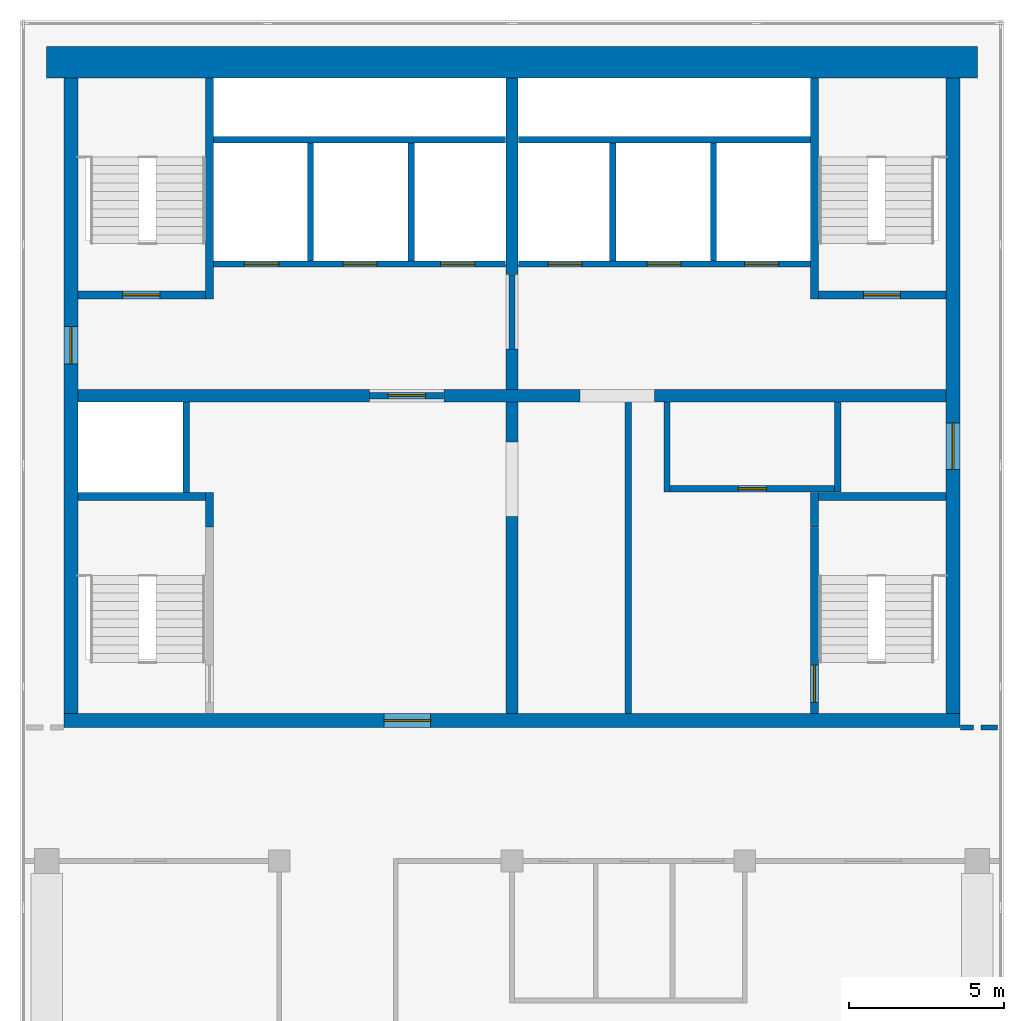
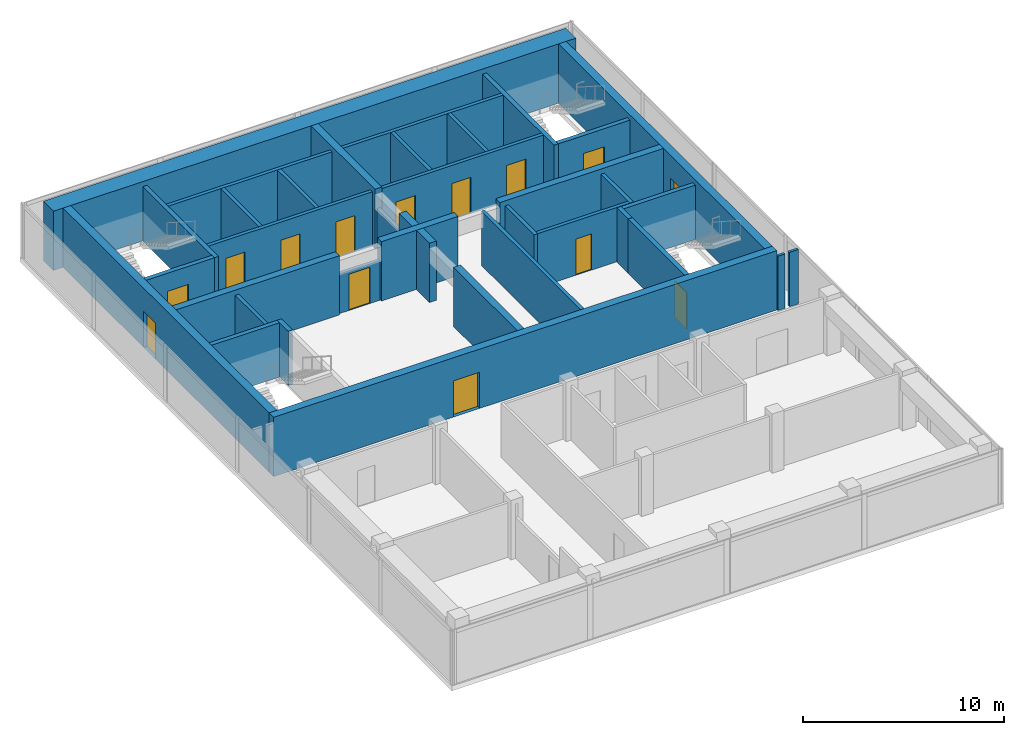
# One storey, part 3 of 5: 37 walls, 14 doors, 14 openings.
"""IFC4 building model written with IfcOpenShell, lengths in metres."""

from ifc_helpers import new_model, si_unit, direction, frame, frame_2d, origin, place, context, subcontext, project, spatial, rectangle, extrude, material, layer, layer_set, type_object, element, fill, save


model = new_model("IFC4")

# Units and contexts
model_context = context("Model", 3, precision=1e-05, world=origin(), true_north=direction((0.0, 1.0)))
body_context = subcontext(model_context, "Body", "Model", "MODEL_VIEW")
ifc_project = project(units=[si_unit("LENGTHUNIT", "METRE"), si_unit("AREAUNIT", "SQUARE_METRE"), si_unit("VOLUMEUNIT", "CUBIC_METRE"), si_unit("PLANEANGLEUNIT", "RADIAN"), si_unit("MASSUNIT", "GRAM", prefix="KILO")], contexts=[model_context])

# Site, building, storey
site_placement = place(None, origin())
site = spatial("IfcSite", under=ifc_project, at=site_placement, CompositionType="ELEMENT")
building_placement = place(site_placement, origin())
building = spatial("IfcBuilding", under=site, at=building_placement, Name="Pilkhan Gate Tower", CompositionType="ELEMENT")
storey_placement = place(building_placement, frame((0.0, 0.0, 280.10009765625)))
storey = spatial("IfcBuildingStorey", under=building, at=storey_placement, Name="L73", CompositionType="ELEMENT", Elevation=280.10009765625)

# Wall
ifc_material_1 = material(Name="Concrete C50/60", Category="concrete")
ifc_layer_1 = layer(ifc_material_1, 1.0)
ifc_layer_set_1 = layer_set([ifc_layer_1], Name="Core wall CW1000 C50/60")
wall_type_1 = type_object("IfcWallType", Name="Core wall CW1000 C50/60", PredefinedType="SHEAR", material=ifc_layer_set_1)
wall_1_placement = place(storey_placement, frame((90.0, 93.25, 0.0), z_axis=(0.0, 0.0, 1.0), x_axis=(-1.0, 0.0, 0.0)))
element("IfcWall", 1, at=wall_1_placement, inside=storey, type_object=wall_type_1, Name="Core wall N L73", PredefinedType="SHEAR", context=body_context, shape_type="SweptSolid", body=[
    extrude(rectangle(XDim=30.0, YDim=1.0, at=frame_2d((15.0, 0.0))), origin(), (0.0, 0.0, 1.0), 3.599853515625),
])

# Wall, opening, door
ifc_layer_2 = layer(ifc_material_1, 0.449951171875)
ifc_layer_set_2 = layer_set([ifc_layer_2], Name="Core wall CW450 C50/60")
wall_type_2 = type_object("IfcWallType", Name="Core wall CW450 C50/60", PredefinedType="SHEAR", material=ifc_layer_set_2)
wall_2_placement = place(storey_placement, frame((60.550048828125, 72.02490234375, 0.0), z_axis=(0.0, 0.0, 1.0), x_axis=(1.0, 0.0, 0.0)))
wall_2 = element("IfcWall", 2, at=wall_2_placement, inside=storey, type_object=wall_type_2, Name="Core wall S L73", PredefinedType="SHEAR", context=body_context, shape_type="SweptSolid", body=[
    extrude(rectangle(XDim=28.89990234375, YDim=0.449951171875, at=frame_2d((14.449951171875, 0.0))), origin(), (0.0, 0.0, 1.0), 3.599853515625),
])
opening_1_placement = place(wall_2_placement, frame((10.324951171875, 0.0, 0.0)))
opening_1 = element("IfcOpeningElement", 3, at=opening_1_placement, cuts=wall_2, Name="Opening L73-06", PredefinedType="OPENING", context=body_context, shape_type="SweptSolid", body=[
    extrude(rectangle(XDim=1.5, YDim=2.199951171875, at=frame_2d((0.75, 1.10009765625))), frame((0.0, 0.23486328125, 0.0), z_axis=(0.0, -1.0, 0.0), x_axis=(1.0, 0.0, 0.0)), (0.0, 0.0, 1.0), 0.469970703125),
])
ifc_material_2 = material(Name="Steel framed glazed door, 60 minute fire resisting", Category="steel")
door_type_1 = type_object("IfcDoorType", Name="Lobby door D09 1500x2200", OperationType="DOUBLE_DOOR_SINGLE_SWING", PredefinedType="DOOR", material=ifc_material_2)
door_1_placement = place(opening_1_placement, origin())
door_1 = element("IfcDoor", 4, at=door_1_placement, inside=storey, type_object=door_type_1, Name="Core door", OperationType="DOUBLE_DOOR_SINGLE_SWING", OverallHeight=2.199951171875, OverallWidth=1.5, PredefinedType="DOOR", context=body_context, shape_type="SweptSolid", body=[
    extrude(rectangle(XDim=1.5, YDim=2.199951171875, at=frame_2d((0.75, 1.10009765625))), frame((0.0, 0.02490234375, 0.0), z_axis=(0.0, -1.0, 0.0), x_axis=(1.0, 0.0, 0.0)), (0.0, 0.0, 1.0), 0.050048828125),
])
fill(opening_1, door_1)

wall_3_placement = place(storey_placement, frame((89.22509765625, 72.25, 0.0), z_axis=(0.0, 0.0, 1.0), x_axis=(0.0, 1.0, 0.0)))
wall_3 = element("IfcWall", 5, at=wall_3_placement, inside=storey, type_object=wall_type_2, Name="Core wall E L73", PredefinedType="SHEAR", context=body_context, shape_type="SweptSolid", body=[
    extrude(rectangle(XDim=20.5, YDim=0.449951171875, at=frame_2d((10.25, 0.0))), origin(), (0.0, 0.0, 1.0), 3.599853515625),
])
opening_2_placement = place(wall_3_placement, frame((7.875, 0.0, 0.0)))
opening_2 = element("IfcOpeningElement", 6, at=opening_2_placement, cuts=wall_3, Name="Opening L73-07", PredefinedType="OPENING", context=body_context, shape_type="SweptSolid", body=[
    extrude(rectangle(XDim=1.5, YDim=2.199951171875, at=frame_2d((0.75, 1.10009765625))), frame((0.0, 0.23486328125, 0.0), z_axis=(0.0, -1.0, 0.0), x_axis=(1.0, 0.0, 0.0)), (0.0, 0.0, 1.0), 0.469970703125),
])
door_2_placement = place(opening_2_placement, origin())
door_2 = element("IfcDoor", 7, at=door_2_placement, inside=storey, type_object=door_type_1, Name="Core door", OperationType="DOUBLE_DOOR_SINGLE_SWING", OverallHeight=2.199951171875, OverallWidth=1.5, PredefinedType="DOOR", context=body_context, shape_type="SweptSolid", body=[
    extrude(rectangle(XDim=1.5, YDim=2.199951171875, at=frame_2d((0.75, 1.10009765625))), frame((0.0, 0.02490234375, 0.0), z_axis=(0.0, -1.0, 0.0), x_axis=(1.0, 0.0, 0.0)), (0.0, 0.0, 1.0), 0.050048828125),
])
fill(opening_2, door_2)

wall_4_placement = place(storey_placement, frame((60.77490234375, 92.75, 0.0), z_axis=(0.0, 0.0, 1.0), x_axis=(0.0, -1.0, 0.0)))
wall_4 = element("IfcWall", 8, at=wall_4_placement, inside=storey, type_object=wall_type_2, Name="Core wall W L73", PredefinedType="SHEAR", context=body_context, shape_type="SweptSolid", body=[
    extrude(rectangle(XDim=20.5, YDim=0.449951171875, at=frame_2d((10.25, 0.0))), origin(), (0.0, 0.0, 1.0), 3.599853515625),
])
opening_3_placement = place(wall_4_placement, frame((8.02490234375, 0.0, 0.0)))
opening_3 = element("IfcOpeningElement", 9, at=opening_3_placement, cuts=wall_4, Name="Opening L73-09", PredefinedType="OPENING", context=body_context, shape_type="SweptSolid", body=[
    extrude(rectangle(XDim=1.199951171875, YDim=2.199951171875, at=frame_2d((0.60009765625, 1.10009765625))), frame((0.0, 0.23486328125, 0.0), z_axis=(0.0, -1.0, 0.0), x_axis=(1.0, 0.0, 0.0)), (0.0, 0.0, 1.0), 0.469970703125),
])
ifc_material_3 = material(Name="Steel door, 120 minute fire resisting, self-closing", Category="steel")
door_type_2 = type_object("IfcDoorType", Name="Firefighting lobby door D10 1200x2200", OperationType="SINGLE_SWING_LEFT", PredefinedType="DOOR", material=ifc_material_3)
door_3_placement = place(opening_3_placement, origin())
door_3 = element("IfcDoor", 10, at=door_3_placement, inside=storey, type_object=door_type_2, Name="Core door", OperationType="SINGLE_SWING_RIGHT", OverallHeight=2.199951171875, OverallWidth=1.199951171875, PredefinedType="DOOR", context=body_context, shape_type="SweptSolid", body=[
    extrude(rectangle(XDim=1.199951171875, YDim=2.199951171875, at=frame_2d((0.60009765625, 1.10009765625))), frame((0.0, 0.02490234375, 0.0), z_axis=(0.0, -1.0, 0.0), x_axis=(1.0, 0.0, 0.0)), (0.0, 0.0, 1.0), 0.050048828125),
])
fill(opening_3, door_3)

ifc_material_4 = material(Name="Dense blockwork", Category="masonry")
ifc_layer_3 = layer(ifc_material_4, 0.199951171875)
ifc_layer_set_3 = layer_set([ifc_layer_3], Name="Lobby wall LW200")
wall_type_3 = type_object("IfcWallType", Name="Lobby wall LW200", PredefinedType="PARTITIONING", material=ifc_layer_set_3)
wall_5_placement = place(storey_placement, frame((80.10009765625, 79.5, 0.0), z_axis=(0.0, 0.0, 1.0), x_axis=(1.0, 0.0, 0.0)))
wall_5 = element("IfcWall", 11, at=wall_5_placement, inside=storey, type_object=wall_type_3, Name="Partition L73", PredefinedType="PARTITIONING", context=body_context, shape_type="SweptSolid", body=[
    extrude(rectangle(XDim=5.2998046875, YDim=0.199951171875, at=frame_2d((2.64990234375, 0.0))), origin(), (0.0, 0.0, 1.0), 3.2998046875),
])
opening_4_placement = place(wall_5_placement, frame((2.199951171875, 0.0, 0.0)))
opening_4 = element("IfcOpeningElement", 12, at=opening_4_placement, cuts=wall_5, Name="Opening L73-08", PredefinedType="OPENING", context=body_context, shape_type="SweptSolid", body=[
    extrude(rectangle(XDim=0.89990234375, YDim=2.199951171875, at=frame_2d((0.449951171875, 1.10009765625))), frame((0.0, 0.10986328125, 0.0), z_axis=(0.0, -1.0, 0.0), x_axis=(1.0, 0.0, 0.0)), (0.0, 0.0, 1.0), 0.219970703125),
])
ifc_material_5 = material(Name="Timber flush door, 60 minute fire resisting, self-closing", Category="wood")
door_type_3 = type_object("IfcDoorType", Name="Store door D05 900x2200", OperationType="SINGLE_SWING_LEFT", PredefinedType="DOOR", material=ifc_material_5)
door_4_placement = place(opening_4_placement, origin())
door_4 = element("IfcDoor", 13, at=door_4_placement, inside=storey, type_object=door_type_3, Name="Store door", OperationType="SINGLE_SWING_LEFT", OverallHeight=2.199951171875, OverallWidth=0.89990234375, PredefinedType="DOOR", context=body_context, shape_type="SweptSolid", body=[
    extrude(rectangle(XDim=0.89990234375, YDim=2.199951171875, at=frame_2d((0.449951171875, 1.10009765625))), frame((0.0, 0.02490234375, 0.0), z_axis=(0.0, -1.0, 0.0), x_axis=(1.0, 0.0, 0.0)), (0.0, 0.0, 1.0), 0.050048828125),
])
fill(opening_4, door_4)

wall_6_placement = place(storey_placement, frame((70.409912109375, 82.5, 0.0), z_axis=(0.0, 0.0, 1.0), x_axis=(1.0, 0.0, 0.0)))
wall_6 = element("IfcWall", 14, at=wall_6_placement, inside=storey, type_object=wall_type_3, Name="Partition L73", PredefinedType="PARTITIONING", context=body_context, shape_type="SweptSolid", body=[
    extrude(rectangle(XDim=2.380126953125, YDim=0.199951171875, at=frame_2d((1.18994140625, 0.0))), origin(), (0.0, 0.0, 1.0), 2.39990234375),
])
opening_5_placement = place(wall_6_placement, frame((0.60009765625, 0.0, 0.0)))
opening_5 = element("IfcOpeningElement", 15, at=opening_5_placement, cuts=wall_6, Name="Opening L73-01", PredefinedType="OPENING", context=body_context, shape_type="SweptSolid", body=[
    extrude(rectangle(XDim=1.199951171875, YDim=2.199951171875, at=frame_2d((0.60009765625, 1.10009765625))), frame((0.0, 0.10986328125, 0.0), z_axis=(0.0, -1.0, 0.0), x_axis=(1.0, 0.0, 0.0)), (0.0, 0.0, 1.0), 0.219970703125),
])
door_5_placement = place(opening_5_placement, origin())
door_5 = element("IfcDoor", 16, at=door_5_placement, inside=storey, type_object=door_type_2, Name="Firefighting lobby door", OperationType="SINGLE_SWING_LEFT", OverallHeight=2.199951171875, OverallWidth=1.199951171875, PredefinedType="DOOR", context=body_context, shape_type="SweptSolid", body=[
    extrude(rectangle(XDim=1.199951171875, YDim=2.199951171875, at=frame_2d((0.60009765625, 1.10009765625))), frame((0.0, 0.02490234375, 0.0), z_axis=(0.0, -1.0, 0.0), x_axis=(1.0, 0.0, 0.0)), (0.0, 0.0, 1.0), 0.050048828125),
])
fill(opening_5, door_5)

# Walls
wall_7_placement = place(storey_placement, frame((75.0, 84.010009765625, 0.0), z_axis=(0.0, 0.0, 1.0), x_axis=(0.0, 1.0, 0.0)))
element("IfcWall", 17, at=wall_7_placement, inside=storey, type_object=wall_type_3, Name="Partition L73", PredefinedType="PARTITIONING", context=body_context, shape_type="SweptSolid", body=[
    extrude(rectangle(XDim=2.3798828125, YDim=0.199951171875, at=frame_2d((1.18994140625, 0.0))), origin(), (0.0, 0.0, 1.0), 2.39990234375),
])
wall_8_placement = place(storey_placement, frame((78.75, 72.260009765625, 0.0), z_axis=(0.0, 0.0, 1.0), x_axis=(0.0, 1.0, 0.0)))
element("IfcWall", 18, at=wall_8_placement, inside=storey, type_object=wall_type_3, Name="Partition L73", PredefinedType="PARTITIONING", context=body_context, shape_type="SweptSolid", body=[
    extrude(rectangle(XDim=10.239990234375, YDim=0.199951171875, at=frame_2d((5.1201171875, 0.0))), origin(), (0.0, 0.0, 1.0), 3.2998046875),
])
for number, where, z_axis, x_axis, name in (
    (19, (80.0, 79.39990234375, 0.0), (0.0, 0.0, 1.0), (0.0, 1.0, 0.0), "Partition L73"),
    (20, (85.5, 79.39990234375, 0.0), (0.0, 0.0, 1.0), (0.0, 1.0, 0.0), "Partition L73"),
):
    element("IfcWall", number, at=place(storey_placement, frame(where, z_axis=z_axis, x_axis=x_axis)), inside=storey, type_object=wall_type_3, Name=name, PredefinedType="PARTITIONING", context=body_context, shape_type="SweptSolid", body=[
        extrude(rectangle(XDim=2.89013671875, YDim=0.199951171875, at=frame_2d((1.445068359375, 0.0))), origin(), (0.0, 0.0, 1.0), 3.2998046875),
    ])
ifc_material_6 = material(Name="Blockwork partition, plastered both sides", Category="masonry")
ifc_layer_4 = layer(ifc_material_6, 0.14990234375)
ifc_layer_set_4 = layer_set([ifc_layer_4], Name="Partition PW150")
wall_type_4 = type_object("IfcWallType", Name="Partition PW150", PredefinedType="PARTITIONING", material=ifc_layer_set_4)
wall_9_placement = place(storey_placement, frame((89.4599609375, 71.800048828125, 0.0), z_axis=(0.0, 0.0, 1.0), x_axis=(1.0, 0.0, 0.0)))
element("IfcWall", 21, at=wall_9_placement, inside=storey, type_object=wall_type_4, Name="Partition L73", PredefinedType="PARTITIONING", context=body_context, shape_type="SweptSolid", body=[
    extrude(rectangle(XDim=0.419921875, YDim=0.14990234375, at=frame_2d((0.2099609375, 0.0))), origin(), (0.0, 0.0, 1.0), 3.2998046875),
])
wall_10_placement = place(storey_placement, frame((90.1201171875, 71.800048828125, 0.0), z_axis=(0.0, 0.0, 1.0), x_axis=(1.0, 0.0, 0.0)))
element("IfcWall", 22, at=wall_10_placement, inside=storey, type_object=wall_type_4, Name="Partition L73", PredefinedType="PARTITIONING", context=body_context, shape_type="SweptSolid", body=[
    extrude(rectangle(XDim=0.52490234375, YDim=0.14990234375, at=frame_2d((0.262451171875, 0.0))), origin(), (0.0, 0.0, 1.0), 3.2998046875),
])

# Wall, openings, doors
ifc_material_7 = material(Name="Reinforced blockwork shaft wall, 120 minute fire resisting", Category="masonry")
ifc_layer_5 = layer(ifc_material_7, 0.199951171875)
ifc_layer_set_5 = layer_set([ifc_layer_5], Name="Shaft wall SW200")
wall_type_5 = type_object("IfcWallType", Name="Shaft wall SW200", PredefinedType="PARTITIONING", material=ifc_layer_set_5)
wall_11_placement = place(storey_placement, frame((65.375, 86.75, 0.0), z_axis=(0.0, 0.0, 1.0), x_axis=(1.0, 0.0, 0.0)))
wall_11 = element("IfcWall", 23, at=wall_11_placement, inside=storey, type_object=wall_type_5, Name="Partition L73", PredefinedType="PARTITIONING", context=body_context, shape_type="SweptSolid", body=[
    extrude(rectangle(XDim=9.4150390625, YDim=0.199951171875, at=frame_2d((4.70751953125, 0.0))), origin(), (0.0, 0.0, 1.0), 3.2998046875),
])
opening_6_placement = place(wall_11_placement, frame((1.0, 0.0, 0.0)))
opening_6 = element("IfcOpeningElement", 24, at=opening_6_placement, cuts=wall_11, Name="Opening LD", PredefinedType="OPENING", context=body_context, shape_type="SweptSolid", body=[
    extrude(rectangle(XDim=1.10009765625, YDim=2.199951171875, at=frame_2d((0.550048828125, 1.10009765625))), frame((0.0, 0.10986328125, 0.0), z_axis=(0.0, -1.0, 0.0), x_axis=(1.0, 0.0, 0.0)), (0.0, 0.0, 1.0), 0.219970703125),
])
opening_7_placement = place(wall_11_placement, frame((4.175048828125, 0.0, 0.0)))
opening_7 = element("IfcOpeningElement", 25, at=opening_7_placement, cuts=wall_11, Name="Opening LD", PredefinedType="OPENING", context=body_context, shape_type="SweptSolid", body=[
    extrude(rectangle(XDim=1.10009765625, YDim=2.199951171875, at=frame_2d((0.550048828125, 1.10009765625))), frame((0.0, 0.10986328125, 0.0), z_axis=(0.0, -1.0, 0.0), x_axis=(1.0, 0.0, 0.0)), (0.0, 0.0, 1.0), 0.219970703125),
])
opening_8_placement = place(wall_11_placement, frame((7.324951171875, 0.0, 0.0)))
opening_8 = element("IfcOpeningElement", 26, at=opening_8_placement, cuts=wall_11, Name="Opening LD", PredefinedType="OPENING", context=body_context, shape_type="SweptSolid", body=[
    extrude(rectangle(XDim=1.10009765625, YDim=2.199951171875, at=frame_2d((0.550048828125, 1.10009765625))), frame((0.0, 0.10986328125, 0.0), z_axis=(0.0, -1.0, 0.0), x_axis=(1.0, 0.0, 0.0)), (0.0, 0.0, 1.0), 0.219970703125),
])
ifc_material_8 = material(Name="Stainless steel centre-opening landing door, 120 minute fire resisting", Category="steel")
door_type_4 = type_object("IfcDoorType", Name="Lift landing door LD 1100x2200", OperationType="DOUBLE_DOOR_SLIDING", PredefinedType="DOOR", material=ifc_material_8)
door_6_placement = place(opening_6_placement, origin())
door_6 = element("IfcDoor", 27, at=door_6_placement, inside=storey, type_object=door_type_4, Name="Landing door FF1", OperationType="DOUBLE_DOOR_SLIDING", OverallHeight=2.199951171875, OverallWidth=1.10009765625, PredefinedType="DOOR", context=body_context, shape_type="SweptSolid", body=[
    extrude(rectangle(XDim=1.10009765625, YDim=2.199951171875, at=frame_2d((0.550048828125, 1.10009765625))), frame((0.0, 0.02490234375, 0.0), z_axis=(0.0, -1.0, 0.0), x_axis=(1.0, 0.0, 0.0)), (0.0, 0.0, 1.0), 0.050048828125),
])
fill(opening_6, door_6)
door_7_placement = place(opening_7_placement, origin())
door_7 = element("IfcDoor", 28, at=door_7_placement, inside=storey, type_object=door_type_4, Name="Landing door FF2", OperationType="DOUBLE_DOOR_SLIDING", OverallHeight=2.199951171875, OverallWidth=1.10009765625, PredefinedType="DOOR", context=body_context, shape_type="SweptSolid", body=[
    extrude(rectangle(XDim=1.10009765625, YDim=2.199951171875, at=frame_2d((0.550048828125, 1.10009765625))), frame((0.0, 0.02490234375, 0.0), z_axis=(0.0, -1.0, 0.0), x_axis=(1.0, 0.0, 0.0)), (0.0, 0.0, 1.0), 0.050048828125),
])
fill(opening_7, door_7)
door_8_placement = place(opening_8_placement, origin())
door_8 = element("IfcDoor", 29, at=door_8_placement, inside=storey, type_object=door_type_4, Name="Landing door SV1", OperationType="DOUBLE_DOOR_SLIDING", OverallHeight=2.199951171875, OverallWidth=1.10009765625, PredefinedType="DOOR", context=body_context, shape_type="SweptSolid", body=[
    extrude(rectangle(XDim=1.10009765625, YDim=2.199951171875, at=frame_2d((0.550048828125, 1.10009765625))), frame((0.0, 0.02490234375, 0.0), z_axis=(0.0, -1.0, 0.0), x_axis=(1.0, 0.0, 0.0)), (0.0, 0.0, 1.0), 0.050048828125),
])
fill(opening_8, door_8)

wall_12_placement = place(storey_placement, frame((75.2099609375, 86.75, 0.0), z_axis=(0.0, 0.0, 1.0), x_axis=(1.0, 0.0, 0.0)))
wall_12 = element("IfcWall", 30, at=wall_12_placement, inside=storey, type_object=wall_type_5, Name="Partition L73", PredefinedType="PARTITIONING", context=body_context, shape_type="SweptSolid", body=[
    extrude(rectangle(XDim=9.4150390625, YDim=0.199951171875, at=frame_2d((4.70751953125, 0.0))), origin(), (0.0, 0.0, 1.0), 3.2998046875),
])
opening_9_placement = place(wall_12_placement, frame((0.949951171875, 0.0, 0.0)))
opening_9 = element("IfcOpeningElement", 31, at=opening_9_placement, cuts=wall_12, Name="Opening LD", PredefinedType="OPENING", context=body_context, shape_type="SweptSolid", body=[
    extrude(rectangle(XDim=1.10009765625, YDim=2.199951171875, at=frame_2d((0.550048828125, 1.10009765625))), frame((0.0, 0.10986328125, 0.0), z_axis=(0.0, -1.0, 0.0), x_axis=(1.0, 0.0, 0.0)), (0.0, 0.0, 1.0), 0.219970703125),
])
opening_10_placement = place(wall_12_placement, frame((4.139892578125, 0.0, 0.0)))
opening_10 = element("IfcOpeningElement", 32, at=opening_10_placement, cuts=wall_12, Name="Opening LD", PredefinedType="OPENING", context=body_context, shape_type="SweptSolid", body=[
    extrude(rectangle(XDim=1.10009765625, YDim=2.199951171875, at=frame_2d((0.550048828125, 1.10009765625))), frame((0.0, 0.10986328125, 0.0), z_axis=(0.0, -1.0, 0.0), x_axis=(1.0, 0.0, 0.0)), (0.0, 0.0, 1.0), 0.219970703125),
])
opening_11_placement = place(wall_12_placement, frame((7.2900390625, 0.0, 0.0)))
opening_11 = element("IfcOpeningElement", 33, at=opening_11_placement, cuts=wall_12, Name="Opening LD", PredefinedType="OPENING", context=body_context, shape_type="SweptSolid", body=[
    extrude(rectangle(XDim=1.10009765625, YDim=2.199951171875, at=frame_2d((0.550048828125, 1.10009765625))), frame((0.0, 0.10986328125, 0.0), z_axis=(0.0, -1.0, 0.0), x_axis=(1.0, 0.0, 0.0)), (0.0, 0.0, 1.0), 0.219970703125),
])
door_9_placement = place(opening_9_placement, origin())
door_9 = element("IfcDoor", 34, at=door_9_placement, inside=storey, type_object=door_type_4, Name="Landing door HR1", OperationType="DOUBLE_DOOR_SLIDING", OverallHeight=2.199951171875, OverallWidth=1.10009765625, PredefinedType="DOOR", context=body_context, shape_type="SweptSolid", body=[
    extrude(rectangle(XDim=1.10009765625, YDim=2.199951171875, at=frame_2d((0.550048828125, 1.10009765625))), frame((0.0, 0.02490234375, 0.0), z_axis=(0.0, -1.0, 0.0), x_axis=(1.0, 0.0, 0.0)), (0.0, 0.0, 1.0), 0.050048828125),
])
fill(opening_9, door_9)
door_10_placement = place(opening_10_placement, origin())
door_10 = element("IfcDoor", 35, at=door_10_placement, inside=storey, type_object=door_type_4, Name="Landing door HR2", OperationType="DOUBLE_DOOR_SLIDING", OverallHeight=2.199951171875, OverallWidth=1.10009765625, PredefinedType="DOOR", context=body_context, shape_type="SweptSolid", body=[
    extrude(rectangle(XDim=1.10009765625, YDim=2.199951171875, at=frame_2d((0.550048828125, 1.10009765625))), frame((0.0, 0.02490234375, 0.0), z_axis=(0.0, -1.0, 0.0), x_axis=(1.0, 0.0, 0.0)), (0.0, 0.0, 1.0), 0.050048828125),
])
fill(opening_10, door_10)
door_11_placement = place(opening_11_placement, origin())
door_11 = element("IfcDoor", 36, at=door_11_placement, inside=storey, type_object=door_type_4, Name="Landing door HR3", OperationType="DOUBLE_DOOR_SLIDING", OverallHeight=2.199951171875, OverallWidth=1.10009765625, PredefinedType="DOOR", context=body_context, shape_type="SweptSolid", body=[
    extrude(rectangle(XDim=1.10009765625, YDim=2.199951171875, at=frame_2d((0.550048828125, 1.10009765625))), frame((0.0, 0.02490234375, 0.0), z_axis=(0.0, -1.0, 0.0), x_axis=(1.0, 0.0, 0.0)), (0.0, 0.0, 1.0), 0.050048828125),
])
fill(opening_11, door_11)

# Walls
for number, where, z_axis, x_axis, name in (
    (37, (65.375, 90.75, 0.0), (0.0, 0.0, 1.0), (1.0, 0.0, 0.0), "Partition L73"),
    (38, (75.2099609375, 90.75, 0.0), (0.0, 0.0, 1.0), (1.0, 0.0, 0.0), "Partition L73"),
):
    element("IfcWall", number, at=place(storey_placement, frame(where, z_axis=z_axis, x_axis=x_axis)), inside=storey, type_object=wall_type_5, Name=name, PredefinedType="PARTITIONING", context=body_context, shape_type="SweptSolid", body=[
        extrude(rectangle(XDim=9.4150390625, YDim=0.199951171875, at=frame_2d((4.70751953125, 0.0))), origin(), (0.0, 0.0, 1.0), 3.2998046875),
    ])
wall_13_placement = place(storey_placement, frame((64.5, 79.375, 0.0), z_axis=(0.0, 0.0, 1.0), x_axis=(0.0, 1.0, 0.0)))
element("IfcWall", 39, at=wall_13_placement, inside=storey, type_object=wall_type_5, Name="Partition L73", PredefinedType="PARTITIONING", context=body_context, shape_type="SweptSolid", body=[
    extrude(rectangle(XDim=2.9150390625, YDim=0.199951171875, at=frame_2d((1.45751953125, 0.0))), origin(), (0.0, 0.0, 1.0), 3.2998046875),
])
for number, where, z_axis, x_axis, name in (
    (40, (68.5, 86.85009765625, 0.0), (0.0, 0.0, 1.0), (0.0, 1.0, 0.0), "Partition L73"),
    (41, (71.75, 86.85009765625, 0.0), (0.0, 0.0, 1.0), (0.0, 1.0, 0.0), "Partition L73"),
    (42, (78.25, 86.85009765625, 0.0), (0.0, 0.0, 1.0), (0.0, 1.0, 0.0), "Partition L73"),
    (43, (81.5, 86.85009765625, 0.0), (0.0, 0.0, 1.0), (0.0, 1.0, 0.0), "Partition L73"),
):
    element("IfcWall", number, at=place(storey_placement, frame(where, z_axis=z_axis, x_axis=x_axis)), inside=storey, type_object=wall_type_5, Name=name, PredefinedType="PARTITIONING", context=body_context, shape_type="SweptSolid", body=[
        extrude(rectangle(XDim=3.7998046875, YDim=0.199951171875, at=frame_2d((1.89990234375, 0.0))), origin(), (0.0, 0.0, 1.0), 3.2998046875),
    ])
ifc_layer_6 = layer(ifc_material_1, 0.39990234375)
ifc_layer_set_6 = layer_set([ifc_layer_6], Name="Spine wall SW400 C50/60")
wall_type_6 = type_object("IfcWallType", Name="Spine wall SW400 C50/60", PredefinedType="SHEAR", material=ifc_layer_set_6)
wall_14_placement = place(storey_placement, frame((61.0, 82.5, 0.0), z_axis=(0.0, 0.0, 1.0), x_axis=(1.0, 0.0, 0.0)))
element("IfcWall", 44, at=wall_14_placement, inside=storey, type_object=wall_type_6, Name="Spine wall SP-EW1 L73", PredefinedType="SHEAR", context=body_context, shape_type="SweptSolid", body=[
    extrude(rectangle(XDim=9.39990234375, YDim=0.39990234375, at=frame_2d((4.699951171875, 0.0))), origin(), (0.0, 0.0, 1.0), 3.599853515625),
])
wall_15_placement = place(storey_placement, frame((72.800048828125, 82.5, 0.0), z_axis=(0.0, 0.0, 1.0), x_axis=(1.0, 0.0, 0.0)))
element("IfcWall", 45, at=wall_15_placement, inside=storey, type_object=wall_type_6, Name="Spine wall SP-EW2 L73", PredefinedType="SHEAR", context=body_context, shape_type="SweptSolid", body=[
    extrude(rectangle(XDim=4.39990234375, YDim=0.39990234375, at=frame_2d((2.199951171875, 0.0))), origin(), (0.0, 0.0, 1.0), 3.599853515625),
])
wall_16_placement = place(storey_placement, frame((79.60009765625, 82.5, 0.0), z_axis=(0.0, 0.0, 1.0), x_axis=(1.0, 0.0, 0.0)))
element("IfcWall", 46, at=wall_16_placement, inside=storey, type_object=wall_type_6, Name="Spine wall SP-EW3 L73", PredefinedType="SHEAR", context=body_context, shape_type="SweptSolid", body=[
    extrude(rectangle(XDim=9.39990234375, YDim=0.39990234375, at=frame_2d((4.699951171875, 0.0))), origin(), (0.0, 0.0, 1.0), 3.599853515625),
])
wall_17_placement = place(storey_placement, frame((75.0, 72.25, 0.0), z_axis=(0.0, 0.0, 1.0), x_axis=(0.0, 1.0, 0.0)))
element("IfcWall", 47, at=wall_17_placement, inside=storey, type_object=wall_type_6, Name="Spine wall SP-NS-S1 L73", PredefinedType="SHEAR", context=body_context, shape_type="SweptSolid", body=[
    extrude(rectangle(XDim=6.35009765625, YDim=0.39990234375, at=frame_2d((3.175048828125, 0.0))), origin(), (0.0, 0.0, 1.0), 3.599853515625),
])
for number, where, z_axis, x_axis, name in (
    (48, (75.0, 81.0, 0.0), (0.0, 0.0, 1.0), (0.0, 1.0, 0.0), "Spine wall SP-NS-S2 L73"),
    (49, (75.0, 82.699951171875, 0.0), (0.0, 0.0, 1.0), (0.0, 1.0, 0.0), "Spine wall SP-NS-N1 L73"),
):
    element("IfcWall", number, at=place(storey_placement, frame(where, z_axis=z_axis, x_axis=x_axis)), inside=storey, type_object=wall_type_6, Name=name, PredefinedType="SHEAR", context=body_context, shape_type="SweptSolid", body=[
        extrude(rectangle(XDim=1.300048828125, YDim=0.39990234375, at=frame_2d((0.64990234375, 0.0))), origin(), (0.0, 0.0, 1.0), 3.599853515625),
    ])
wall_18_placement = place(storey_placement, frame((75.0, 86.39990234375, 0.0), z_axis=(0.0, 0.0, 1.0), x_axis=(0.0, 1.0, 0.0)))
element("IfcWall", 50, at=wall_18_placement, inside=storey, type_object=wall_type_6, Name="Spine wall SP-NS-N2 L73", PredefinedType="SHEAR", context=body_context, shape_type="SweptSolid", body=[
    extrude(rectangle(XDim=6.35009765625, YDim=0.39990234375, at=frame_2d((3.175048828125, 0.0))), origin(), (0.0, 0.0, 1.0), 3.599853515625),
])
ifc_material_9 = material(Name="Reinforced blockwork, 120 minute fire resisting", Category="masonry")
ifc_layer_7 = layer(ifc_material_9, 0.25)
ifc_layer_set_7 = layer_set([ifc_layer_7], Name="Stair enclosure wall SE250")
wall_type_7 = type_object("IfcWallType", Name="Stair enclosure wall SE250", PredefinedType="PARTITIONING", material=ifc_layer_set_7)
wall_19_placement = place(storey_placement, frame((61.0, 79.25, 0.0), z_axis=(0.0, 0.0, 1.0), x_axis=(1.0, 0.0, 0.0)))
element("IfcWall", 51, at=wall_19_placement, inside=storey, type_object=wall_type_7, Name="Partition L73", PredefinedType="PARTITIONING", context=body_context, shape_type="SweptSolid", body=[
    extrude(rectangle(XDim=4.125, YDim=0.25, at=frame_2d((2.0625, 0.0))), origin(), (0.0, 0.0, 1.0), 3.2998046875),
])
wall_20_placement = place(storey_placement, frame((84.875, 79.25, 0.0), z_axis=(0.0, 0.0, 1.0), x_axis=(1.0, 0.0, 0.0)))
element("IfcWall", 52, at=wall_20_placement, inside=storey, type_object=wall_type_7, Name="Partition L73", PredefinedType="PARTITIONING", context=body_context, shape_type="SweptSolid", body=[
    extrude(rectangle(XDim=4.114990234375, YDim=0.25, at=frame_2d((2.0576171875, 0.0))), origin(), (0.0, 0.0, 1.0), 3.2998046875),
])

# Wall, opening, door
wall_21_placement = place(storey_placement, frame((61.0, 85.75, 0.0), z_axis=(0.0, 0.0, 1.0), x_axis=(1.0, 0.0, 0.0)))
wall_21 = element("IfcWall", 53, at=wall_21_placement, inside=storey, type_object=wall_type_7, Name="Partition L73", PredefinedType="PARTITIONING", context=body_context, shape_type="SweptSolid", body=[
    extrude(rectangle(XDim=4.125, YDim=0.25, at=frame_2d((2.0625, 0.0))), origin(), (0.0, 0.0, 1.0), 3.2998046875),
])
opening_12_placement = place(wall_21_placement, frame((1.449951171875, 0.0, 0.0)))
opening_12 = element("IfcOpeningElement", 54, at=opening_12_placement, cuts=wall_21, Name="Opening L73-02", PredefinedType="OPENING", context=body_context, shape_type="SweptSolid", body=[
    extrude(rectangle(XDim=1.199951171875, YDim=2.199951171875, at=frame_2d((0.60009765625, 1.10009765625))), frame((0.0, 0.135009765625, 0.0), z_axis=(0.0, -1.0, 0.0), x_axis=(1.0, 0.0, 0.0)), (0.0, 0.0, 1.0), 0.27001953125),
])
ifc_material_10 = material(Name="Steel door, 120 minute fire resisting, panic bar", Category="steel")
door_type_5 = type_object("IfcDoorType", Name="Stair door D11 1200x2200", OperationType="SINGLE_SWING_LEFT", PredefinedType="DOOR", material=ifc_material_10)
door_12_placement = place(opening_12_placement, origin())
door_12 = element("IfcDoor", 55, at=door_12_placement, inside=storey, type_object=door_type_5, Name="Stair ST3 lobby door", OperationType="SINGLE_SWING_RIGHT", OverallHeight=2.199951171875, OverallWidth=1.199951171875, PredefinedType="DOOR", context=body_context, shape_type="SweptSolid", body=[
    extrude(rectangle(XDim=1.199951171875, YDim=2.199951171875, at=frame_2d((0.60009765625, 1.10009765625))), frame((0.0, 0.02490234375, 0.0), z_axis=(0.0, -1.0, 0.0), x_axis=(1.0, 0.0, 0.0)), (0.0, 0.0, 1.0), 0.050048828125),
])
fill(opening_12, door_12)

wall_22_placement = place(storey_placement, frame((84.875, 85.75, 0.0), z_axis=(0.0, 0.0, 1.0), x_axis=(1.0, 0.0, 0.0)))
wall_22 = element("IfcWall", 56, at=wall_22_placement, inside=storey, type_object=wall_type_7, Name="Partition L73", PredefinedType="PARTITIONING", context=body_context, shape_type="SweptSolid", body=[
    extrude(rectangle(XDim=4.114990234375, YDim=0.25, at=frame_2d((2.0576171875, 0.0))), origin(), (0.0, 0.0, 1.0), 3.2998046875),
])
opening_13_placement = place(wall_22_placement, frame((1.449951171875, 0.0, 0.0)))
opening_13 = element("IfcOpeningElement", 57, at=opening_13_placement, cuts=wall_22, Name="Opening L73-03", PredefinedType="OPENING", context=body_context, shape_type="SweptSolid", body=[
    extrude(rectangle(XDim=1.199951171875, YDim=2.199951171875, at=frame_2d((0.60009765625, 1.10009765625))), frame((0.0, 0.135009765625, 0.0), z_axis=(0.0, -1.0, 0.0), x_axis=(1.0, 0.0, 0.0)), (0.0, 0.0, 1.0), 0.27001953125),
])
door_13_placement = place(opening_13_placement, origin())
door_13 = element("IfcDoor", 58, at=door_13_placement, inside=storey, type_object=door_type_5, Name="Stair ST4 lobby door", OperationType="SINGLE_SWING_RIGHT", OverallHeight=2.199951171875, OverallWidth=1.199951171875, PredefinedType="DOOR", context=body_context, shape_type="SweptSolid", body=[
    extrude(rectangle(XDim=1.199951171875, YDim=2.199951171875, at=frame_2d((0.60009765625, 1.10009765625))), frame((0.0, 0.02490234375, 0.0), z_axis=(0.0, -1.0, 0.0), x_axis=(1.0, 0.0, 0.0)), (0.0, 0.0, 1.0), 0.050048828125),
])
fill(opening_13, door_13)

# Walls
wall_23_placement = place(storey_placement, frame((65.25, 78.260009765625, 0.0), z_axis=(0.0, 0.0, 1.0), x_axis=(0.0, 1.0, 0.0)))
element("IfcWall", 59, at=wall_23_placement, inside=storey, type_object=wall_type_7, Name="Partition L73", PredefinedType="PARTITIONING", context=body_context, shape_type="SweptSolid", body=[
    extrude(rectangle(XDim=1.114990234375, YDim=0.25, at=frame_2d((0.5576171875, 0.0))), origin(), (0.0, 0.0, 1.0), 3.2998046875),
])
wall_24_placement = place(storey_placement, frame((65.25, 85.625, 0.0), z_axis=(0.0, 0.0, 1.0), x_axis=(0.0, 1.0, 0.0)))
element("IfcWall", 60, at=wall_24_placement, inside=storey, type_object=wall_type_7, Name="Partition L73", PredefinedType="PARTITIONING", context=body_context, shape_type="SweptSolid", body=[
    extrude(rectangle(XDim=7.114990234375, YDim=0.25, at=frame_2d((3.5576171875, 0.0))), origin(), (0.0, 0.0, 1.0), 3.2998046875),
])

# Wall, opening, door
wall_25_placement = place(storey_placement, frame((84.75, 72.260009765625, 0.0), z_axis=(0.0, 0.0, 1.0), x_axis=(0.0, 1.0, 0.0)))
wall_25 = element("IfcWall", 61, at=wall_25_placement, inside=storey, type_object=wall_type_7, Name="Partition L73", PredefinedType="PARTITIONING", context=body_context, shape_type="SweptSolid", body=[
    extrude(rectangle(XDim=5.989990234375, YDim=0.25, at=frame_2d((2.9951171875, 0.0))), origin(), (0.0, 0.0, 1.0), 3.2998046875),
])
opening_14_placement = place(wall_25_placement, frame((0.35009765625, 0.0, 0.0)))
opening_14 = element("IfcOpeningElement", 62, at=opening_14_placement, cuts=wall_25, Name="Opening L73-05", PredefinedType="OPENING", context=body_context, shape_type="SweptSolid", body=[
    extrude(rectangle(XDim=1.199951171875, YDim=2.199951171875, at=frame_2d((0.60009765625, 1.10009765625))), frame((0.0, 0.135009765625, 0.0), z_axis=(0.0, -1.0, 0.0), x_axis=(1.0, 0.0, 0.0)), (0.0, 0.0, 1.0), 0.27001953125),
])
door_14_placement = place(opening_14_placement, origin())
door_14 = element("IfcDoor", 63, at=door_14_placement, inside=storey, type_object=door_type_5, Name="Stair ST1 lobby door", OperationType="SINGLE_SWING_LEFT", OverallHeight=2.199951171875, OverallWidth=1.199951171875, PredefinedType="DOOR", context=body_context, shape_type="SweptSolid", body=[
    extrude(rectangle(XDim=1.199951171875, YDim=2.199951171875, at=frame_2d((0.60009765625, 1.10009765625))), frame((0.0, 0.02490234375, 0.0), z_axis=(0.0, -1.0, 0.0), x_axis=(1.0, 0.0, 0.0)), (0.0, 0.0, 1.0), 0.050048828125),
])
fill(opening_14, door_14)

# Walls
wall_26_placement = place(storey_placement, frame((84.75, 78.260009765625, 0.0), z_axis=(0.0, 0.0, 1.0), x_axis=(0.0, 1.0, 0.0)))
element("IfcWall", 64, at=wall_26_placement, inside=storey, type_object=wall_type_7, Name="Partition L73", PredefinedType="PARTITIONING", context=body_context, shape_type="SweptSolid", body=[
    extrude(rectangle(XDim=1.114990234375, YDim=0.25, at=frame_2d((0.5576171875, 0.0))), origin(), (0.0, 0.0, 1.0), 3.2998046875),
])
wall_27_placement = place(storey_placement, frame((84.75, 85.625, 0.0), z_axis=(0.0, 0.0, 1.0), x_axis=(0.0, 1.0, 0.0)))
element("IfcWall", 65, at=wall_27_placement, inside=storey, type_object=wall_type_7, Name="Partition L73", PredefinedType="PARTITIONING", context=body_context, shape_type="SweptSolid", body=[
    extrude(rectangle(XDim=7.114990234375, YDim=0.25, at=frame_2d((3.5576171875, 0.0))), origin(), (0.0, 0.0, 1.0), 3.2998046875),
])

save(model, "model.ifc")
